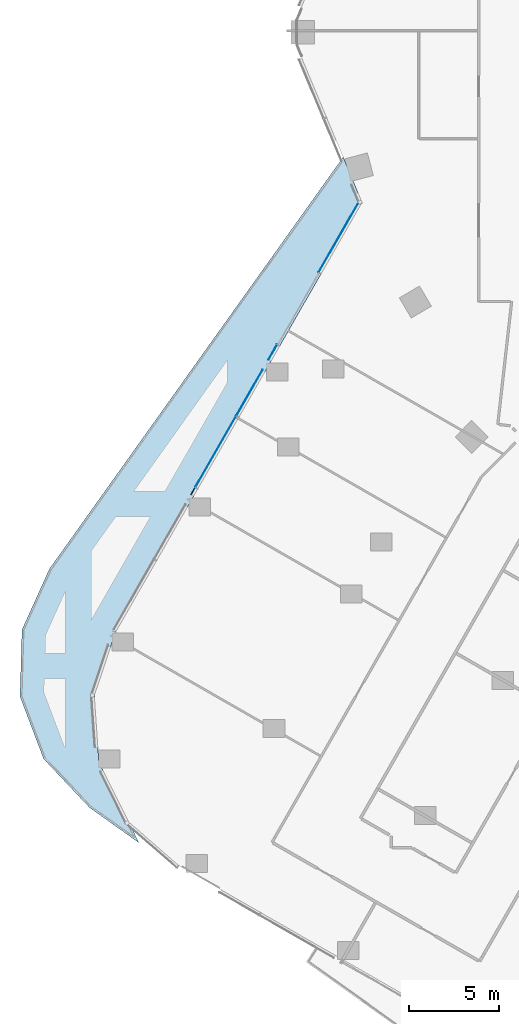
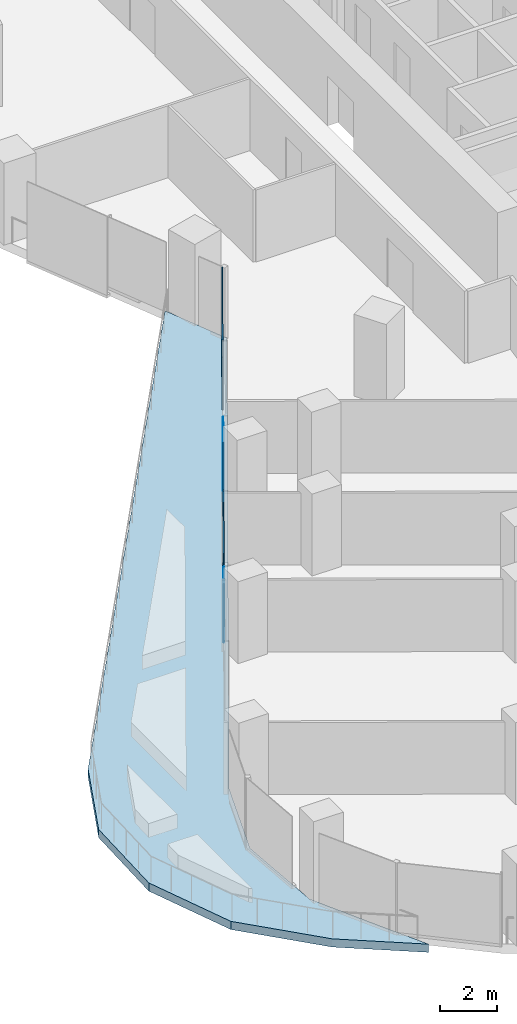
# One storey, part 18 of 34: 5 plates, 1 slab, 1 element without a shape of its own.
"""IFC4 building model written with IfcOpenShell, lengths in metres."""

import ifcopenshell
import ifcopenshell.guid

model = None  # the IFC model being written
_history = None  # IfcOwnerHistory: only IFC2X3 demands one
_inside = {}  # id of a spatial element -> (the spatial element, [elements in it])
_under = {}  # id of a project, library or spatial element -> (it, [spatial elements below it])
_declared = {}  # id of a project -> (the project, [libraries it declares])
_typed = {}  # id of a type object -> (the type object, [elements of that type])
_made_of = {}  # id of a material, layer set ... -> (it, [elements and type objects made of it])


def new_model(schema):
    """Start an empty IFC model of exactly this schema.

    Asked for "IFC4X3", IfcOpenShell would pick the latest addendum, in which some entities
    have other attributes; the version numbers below select the first issue.
    IFC2X3 requires an IfcOwnerHistory on every rooted entity: one is made here for all.
    """
    global model, _history
    if schema == "IFC4X3":
        model = ifcopenshell.file(schema_version=(4, 3, 0, 0))
    else:
        model = ifcopenshell.file(schema=schema)
    _inside.clear()
    _under.clear()
    _declared.clear()
    _typed.clear()
    _made_of.clear()
    _history = None
    if model.schema == "IFC2X3":
        org = make("IfcOrganization", Name="unknown")
        user = make(
            "IfcPersonAndOrganization",
            ThePerson=make("IfcPerson", FamilyName="unknown"),
            TheOrganization=org,
        )
        app = make(
            "IfcApplication",
            ApplicationDeveloper=org,
            Version="unknown",
            ApplicationFullName="unknown",
            ApplicationIdentifier="unknown",
        )
        _history = make(
            "IfcOwnerHistory",
            OwningUser=user,
            OwningApplication=app,
            ChangeAction="ADDED",
            CreationDate=0,
        )
    return model


def make(cls, **values):
    """One entity of the class cls with the attributes given. An attribute that is None is left unset."""
    return model.create_entity(
        cls, **{name: value for name, value in values.items() if value is not None}
    )


def rooted(cls, **values):
    """An entity with a GlobalId (a new one), such as an element, a storey or a relation."""
    return make(cls, GlobalId=ifcopenshell.guid.new(), OwnerHistory=_history, **values)


def si_unit(unit_type, name, prefix=None):
    """IfcSIUnit, for example si_unit("LENGTHUNIT", "METRE", prefix="MILLI")."""
    return make("IfcSIUnit", UnitType=unit_type, Prefix=prefix, Name=name)


def assignment(units):
    """IfcUnitAssignment: the units of a project."""
    return None if units is None else make("IfcUnitAssignment", Units=units)


def point(xyz):
    """IfcCartesianPoint."""
    return None if xyz is None else make("IfcCartesianPoint", Coordinates=xyz)


def direction(xyz):
    """IfcDirection."""
    return None if xyz is None else make("IfcDirection", DirectionRatios=xyz)


def frame(location, z_axis=None, x_axis=None):
    """IfcAxis2Placement3D, a coordinate frame: its origin and axes. An axis left out is left unset."""
    return make(
        "IfcAxis2Placement3D",
        Location=point(location),
        Axis=direction(z_axis),
        RefDirection=direction(x_axis),
    )


def frame_2d(location, x_axis=None):
    """IfcAxis2Placement2D, a coordinate frame in the plane: its origin and x axis."""
    return make(
        "IfcAxis2Placement2D", Location=point(location), RefDirection=direction(x_axis)
    )


def origin():
    """The frame at (0, 0, 0) with its axes left unset."""
    return frame((0.0, 0.0, 0.0))


def origin_2d():
    """The frame at (0, 0) in the plane with its x axis left unset."""
    return frame_2d((0.0, 0.0))


def place(relative_to, where):
    """IfcLocalPlacement: puts the frame where relative to a parent placement (None: the world)."""
    return make(
        "IfcLocalPlacement", PlacementRelTo=relative_to, RelativePlacement=where
    )


def context(
    kind, dimensions, precision=None, world=None, true_north=None, identifier=None
):
    """IfcGeometricRepresentationContext, for example the 3D "Model" context."""
    return make(
        "IfcGeometricRepresentationContext",
        ContextIdentifier=identifier,
        ContextType=kind,
        CoordinateSpaceDimension=dimensions,
        Precision=precision,
        WorldCoordinateSystem=world,
        TrueNorth=true_north,
    )


def subcontext(parent, identifier, kind, view, scale=None):
    """IfcGeometricRepresentationSubContext, for example "Body" below "Model"."""
    return make(
        "IfcGeometricRepresentationSubContext",
        ContextIdentifier=identifier,
        ContextType=kind,
        ParentContext=parent,
        TargetScale=scale,
        TargetView=view,
    )


def project(units=None, contexts=None):
    """IfcProject with its units and contexts."""
    return rooted(
        "IfcProject",
        Name="project",
        RepresentationContexts=contexts,
        UnitsInContext=assignment(units),
    )


def spatial(cls, under=None, at=None, **own):
    """A site, building, storey or space (cls), placed at a placement, below another one or the project."""
    s = rooted(cls, ObjectPlacement=at, **own)
    if under is not None:
        _under.setdefault(under.id(), (under, []))[1].append(s)
    return s


def polyline(points):
    """IfcPolyline through the points."""
    return make("IfcPolyline", Points=[point(p) for p in points])


def profile(cls, at=None, kind="AREA", **sizes):
    """A parametric profile (cls). Its sizes go by their IFC names, for example OverallWidth=200.0."""
    return make(cls, ProfileType=kind, Position=at, **sizes)


def rectangle(**sizes):
    """IfcRectangleProfileDef."""
    return profile("IfcRectangleProfileDef", **sizes)


def outline(outer, holes=None, kind="AREA"):
    """IfcArbitraryClosedProfileDef: a profile drawn as a closed curve; with holes, ...WithVoids."""
    if holes is None:
        return make("IfcArbitraryClosedProfileDef", ProfileType=kind, OuterCurve=outer)
    return make(
        "IfcArbitraryProfileDefWithVoids",
        ProfileType=kind,
        OuterCurve=outer,
        InnerCurves=holes,
    )


def extrude(swept, where, along, depth):
    """IfcExtrudedAreaSolid: the profile swept, set in the frame where, extruded along a direction by depth."""
    return make(
        "IfcExtrudedAreaSolid",
        SweptArea=swept,
        Position=where,
        ExtrudedDirection=direction(along),
        Depth=depth,
    )


def shape(context_of_items, identifier, shape_type, items):
    """IfcShapeRepresentation: the items that make up one representation, for example the "Body"."""
    return make(
        "IfcShapeRepresentation",
        ContextOfItems=context_of_items,
        RepresentationIdentifier=identifier,
        RepresentationType=shape_type,
        Items=items,
    )


def material(Name=None, Category=None):
    """IfcMaterial."""
    return make("IfcMaterial", Name=Name, Category=Category)


def layer(
    of_material, thickness, ventilated=None, Name=None, Category=None, Priority=None
):
    """IfcMaterialLayer: one layer of a wall or slab, of a material (None: an air gap)."""
    return make(
        "IfcMaterialLayer",
        Material=of_material,
        LayerThickness=thickness,
        IsVentilated=ventilated,
        Name=Name,
        Category=Category,
        Priority=Priority,
    )


def layer_set(layers, Name=None):
    """IfcMaterialLayerSet."""
    return make("IfcMaterialLayerSet", MaterialLayers=layers, LayerSetName=Name)


def made_of(thing, what):
    """Note that an element or type object is made of a material, layer set ...; save() writes the relation."""
    if what is not None:
        _made_of.setdefault(what.id(), (what, []))[1].append(thing)
    return thing


def type_object(cls, material=None, **own):
    """A type object (cls), such as IfcWallType, which elements share."""
    return made_of(rooted(cls, **own), material)


def element(
    cls,
    number,
    at=None,
    inside=None,
    cuts=None,
    type_object=None,
    material=None,
    context=None,
    identifier="Body",
    shape_type=None,
    held_by="IfcProductDefinitionShape",
    body=None,
    shapes=None,
    **own,
):
    """One element of the class cls, such as IfcWall. Its Tag is "e" and its number.

    at: its placement. inside: the storey or other place that contains it. cuts: it is an
    opening in that element (IfcRelVoidsElement). A single representation is given by context,
    identifier, shape_type and body (its items); several are given by shapes. held_by: the class
    of the entity that holds the representations. save() writes the other relations.
    """
    e = rooted(cls, Tag="e%d" % number, ObjectPlacement=at, **own)
    if body is not None:
        shapes = [shape(context, identifier, shape_type, body)]
    if shapes is not None:
        e.Representation = make(held_by, Representations=shapes)
    if inside is not None:
        _inside.setdefault(inside.id(), (inside, []))[1].append(e)
    if cuts is not None:
        rooted(
            "IfcRelVoidsElement", RelatingBuildingElement=cuts, RelatedOpeningElement=e
        )
    if type_object is not None:
        _typed.setdefault(type_object.id(), (type_object, []))[1].append(e)
    return made_of(e, material)


def aggregate(whole, parts):
    """IfcRelAggregates: a whole, such as a stair, and the parts it consists of."""
    return rooted("IfcRelAggregates", RelatingObject=whole, RelatedObjects=parts)


def save(model, path):
    """Write the relations noted so far, then the file.

    IfcRelAggregates (storeys below a building ...), IfcRelContainedInSpatialStructure (elements
    in a storey), IfcRelDefinesByType, IfcRelAssociatesMaterial and IfcRelDeclares: one each for
    every whole, place, type object, material and project.
    """
    for whole, parts in _under.values():
        aggregate(whole, parts)
    for where, things in _inside.values():
        rooted(
            "IfcRelContainedInSpatialStructure",
            RelatedElements=things,
            RelatingStructure=where,
        )
    for kind, things in _typed.values():
        rooted("IfcRelDefinesByType", RelatedObjects=things, RelatingType=kind)
    for what, things in _made_of.values():
        rooted("IfcRelAssociatesMaterial", RelatedObjects=things, RelatingMaterial=what)
    for by, libraries in _declared.values():
        rooted("IfcRelDeclares", RelatingContext=by, RelatedDefinitions=libraries)
    model.write(path)


model = new_model("IFC4")

# Units and contexts
model_context = context("Model", 3, precision=1e-05, world=origin(), true_north=direction((0.0, 1.0)))
body_context = subcontext(model_context, "Body", "Model", "MODEL_VIEW")
ifc_project = project(units=[si_unit("LENGTHUNIT", "METRE"), si_unit("AREAUNIT", "SQUARE_METRE"), si_unit("VOLUMEUNIT", "CUBIC_METRE"), si_unit("PLANEANGLEUNIT", "RADIAN"), si_unit("MASSUNIT", "GRAM", prefix="KILO")], contexts=[model_context])

# Site, building, storey
site_placement = place(None, origin())
site = spatial("IfcSite", under=ifc_project, at=site_placement, CompositionType="ELEMENT")
building_placement = place(site_placement, origin())
building = spatial("IfcBuilding", under=site, at=building_placement, Name="Orlundy Tower", CompositionType="ELEMENT")
storey_placement = place(building_placement, frame((0.0, 0.0, 102.199951171875)))
storey = spatial("IfcBuildingStorey", under=building, at=storey_placement, Name="L25", CompositionType="ELEMENT", Elevation=102.199951171875)

# Curtain wall, plates
ifc_material_1 = material(Name="Aluminium bronze anodised", Category="aluminium")
curtain_wall_type = type_object("IfcCurtainWallType", Name="CW1 wall", PredefinedType="NOTDEFINED", material=ifc_material_1)
curtain_wall_placement = place(storey_placement, origin())
curtain_wall = element("IfcCurtainWall", 1, at=curtain_wall_placement, inside=storey, type_object=curtain_wall_type, Name="CW1 run 012", PredefinedType="NOTDEFINED")
ifc_material_2 = material(Name="Tinted glass", Category="glass")
ifc_layer_1 = layer(ifc_material_2, 0.031982421875)
ifc_layer_set_1 = layer_set([ifc_layer_1], Name="CW1 glass panel 32")
plate_type = type_object("IfcPlateType", Name="CW1 glass panel 32", PredefinedType="CURTAIN_PANEL", material=ifc_layer_set_1)
plate_1_placement = place(storey_placement, frame((-37.916259765625, -25.583984375, 0.1201171875), z_axis=(0.0, 0.0, 1.0), x_axis=(0.497468306172, 0.867482152182, 0.0)))
plate_1 = element("IfcPlate", 2, at=plate_1_placement, type_object=plate_type, Name="CW1 panel", PredefinedType="CURTAIN_PANEL", context=body_context, shape_type="SweptSolid", body=[
    extrude(rectangle(XDim=0.417236328125, YDim=0.031982421875, at=origin_2d()), origin(), (0.0, 0.0, 1.0), 2.97998046875),
])
plate_2_placement = place(storey_placement, frame((-36.65869140625, -23.39111328125, 0.1201171875), z_axis=(0.0, 0.0, 1.0), x_axis=(0.497468306172, 0.867482152182, 0.0)))
plate_2 = element("IfcPlate", 3, at=plate_2_placement, type_object=plate_type, Name="CW1 panel", PredefinedType="CURTAIN_PANEL", context=body_context, shape_type="SweptSolid", body=[
    extrude(rectangle(XDim=4.53857421875, YDim=0.031982421875, at=origin_2d()), origin(), (0.0, 0.0, 1.0), 2.97998046875),
])
plate_3_placement = place(storey_placement, frame((-34.775390625, -20.107177734375, 0.1201171875), z_axis=(0.0, 0.0, 1.0), x_axis=(0.497468306172, 0.867482152182, 0.0)))
plate_3 = element("IfcPlate", 4, at=plate_3_placement, type_object=plate_type, Name="CW1 panel", PredefinedType="CURTAIN_PANEL", context=body_context, shape_type="SweptSolid", body=[
    extrude(rectangle(XDim=2.9326171875, YDim=0.031982421875, at=origin_2d()), origin(), (0.0, 0.0, 1.0), 2.97998046875),
])
plate_4_placement = place(storey_placement, frame((-33.486083984375, -17.859130859375, 0.1201171875), z_axis=(0.0, 0.0, 1.0), x_axis=(0.497468306172, 0.867482152182, 0.0)))
plate_4 = element("IfcPlate", 5, at=plate_4_placement, type_object=plate_type, Name="CW1 panel", PredefinedType="CURTAIN_PANEL", context=body_context, shape_type="SweptSolid", body=[
    extrude(rectangle(XDim=0.961181640625, YDim=0.031982421875, at=origin_2d()), origin(), (0.0, 0.0, 1.0), 2.97998046875),
])
plate_5_placement = place(storey_placement, frame((-29.824462890625, -11.473876953125, 0.1201171875), z_axis=(0.0, 0.0, 1.0), x_axis=(0.497468306172, 0.867482152182, 0.0)))
plate_5 = element("IfcPlate", 6, at=plate_5_placement, type_object=plate_type, Name="CW1 panel", PredefinedType="CURTAIN_PANEL", context=body_context, shape_type="SweptSolid", body=[
    extrude(rectangle(XDim=4.482666015625, YDim=0.031982421875, at=origin_2d()), origin(), (0.0, 0.0, 1.0), 2.97998046875),
])
aggregate(curtain_wall, [plate_1, plate_2, plate_3, plate_4, plate_5])

# Slab
ifc_material_3 = material(Name="Concrete C45/55", Category="concrete")
ifc_layer_2 = layer(ifc_material_3, 0.35009765625)
ifc_layer_set_2 = layer_set([ifc_layer_2], Name="TERRACE SLAB 350 C45/55")
slab_type = type_object("IfcSlabType", Name="TERRACE SLAB 350 C45/55", PredefinedType="ROOF", material=ifc_layer_set_2)
slab_placement = place(storey_placement, frame((0.0, 0.0, -0.349853515625)))
element("IfcSlab", 7, at=slab_placement, inside=storey, type_object=slab_type, Name="Terrace slab L25-3", PredefinedType="ROOF", context=body_context, shape_type="SweptSolid", body=[
    extrude(outline(polyline([(-40.919921875, -45.1259765625), (-43.680908203125, -43.156982421875), (-46.219970703125, -40.45703125), (-47.533935546875, -36.989990234375), (-47.4208984375, -33.284912109375), (-45.89794921875, -29.906005859375), (-29.576904296875, -7.02392578125), (-28.528076171875, -9.5419921875), (-42.222900390625, -33.424072265625), (-43.405029296875, -36.93798828125), (-43.152099609375, -40.635986328125), (-40.919921875, -45.1259765625)])), origin(), (0.0, 0.0, 1.0), 0.349853515625),
])

save(model, "model.ifc")
